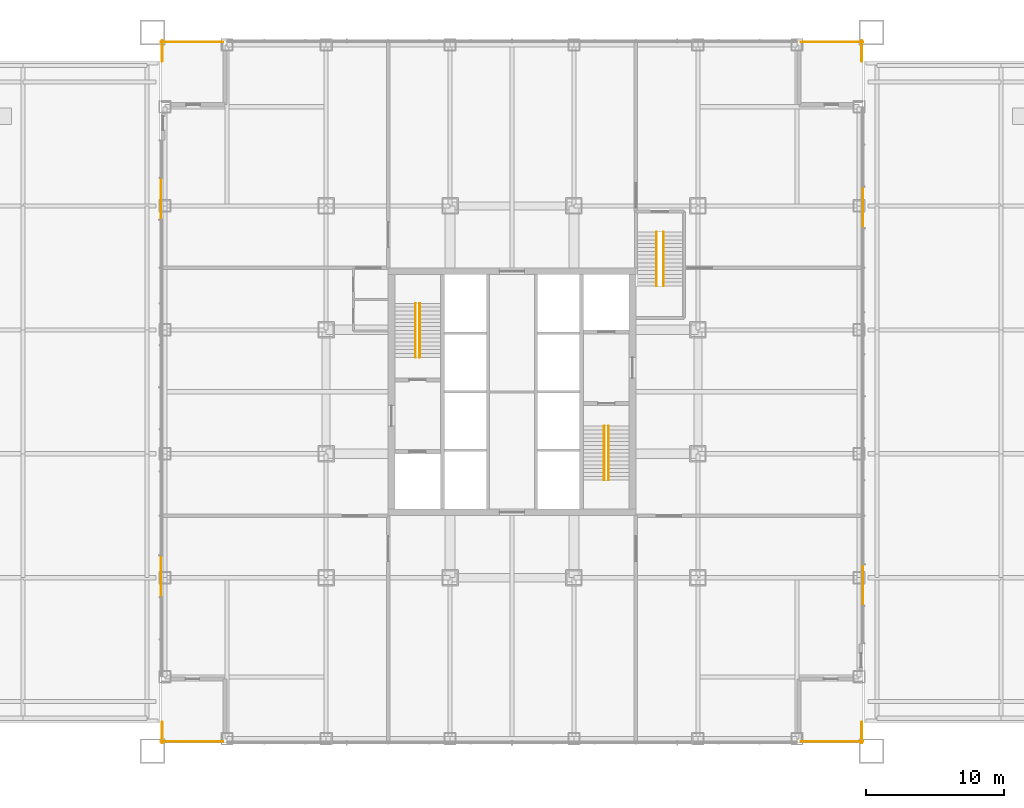
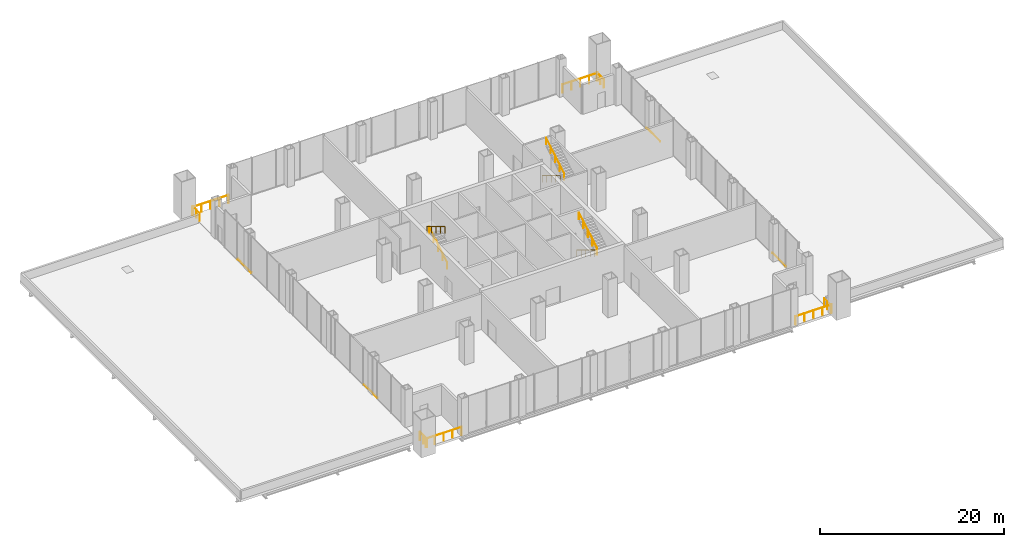
# One storey, part 16 of 16: 14 railings, 4 coverings.
"""IFC4 building model written with IfcOpenShell, lengths in metres."""

from ifc_helpers import new_model, si_unit, direction, frame, origin, origin_2d, place, context, subcontext, project, spatial, polyline, circle, outline, extrude, material, layer, layer_set, type_object, element, save


model = new_model("IFC4")

# Units and contexts
model_context = context("Model", 3, precision=1e-05, world=origin(), true_north=direction((0.0, 1.0)))
body_context = subcontext(model_context, "Body", "Model", "MODEL_VIEW")
ifc_project = project(units=[si_unit("LENGTHUNIT", "METRE"), si_unit("AREAUNIT", "SQUARE_METRE"), si_unit("VOLUMEUNIT", "CUBIC_METRE"), si_unit("PLANEANGLEUNIT", "RADIAN"), si_unit("MASSUNIT", "GRAM", prefix="KILO")], contexts=[model_context])

# Site, building, storey
site_placement = place(None, origin())
site = spatial("IfcSite", under=ifc_project, at=site_placement, CompositionType="ELEMENT")
building_placement = place(site_placement, origin())
building = spatial("IfcBuilding", under=site, at=building_placement, Name="Malebo Sky Hospital", CompositionType="ELEMENT")
storey_placement = place(building_placement, frame((0.0, 0.0, 26.0)))
storey = spatial("IfcBuildingStorey", under=building, at=storey_placement, Name="L05", CompositionType="ELEMENT", Elevation=26.0)

# Coverings
ifc_material_1 = material(Name="Anodised aluminium, natural silver insulated infill panel", Category="aluminium")
ifc_layer = layer(ifc_material_1, 0.0400390625)
ifc_layer_set = layer_set([ifc_layer], Name="BRACE INFILL PANEL 40")
covering_type = type_object("IfcCoveringType", Name="BRACE INFILL PANEL 40", PredefinedType="CLADDING", material=ifc_layer_set)
for number, where, z_axis, x_axis, name in (
    (1, (34.5, 48.615478515625, 0.10009765625), (0.0, 0.0, 1.0), (0.0, 1.0, 0.0), "Brace infill panel 3.1"),
    (2, (34.5, 76.03076171875, 0.10009765625), (0.0, 0.0, 1.0), (0.0, 1.0, 0.0), "Brace infill panel 12.1"),
    (3, (85.5, 75.384521484375, 0.10009765625), (0.0, 0.0, 1.0), (0.0, -1.0, 0.0), "Brace infill panel 3.1"),
    (4, (85.5, 47.96923828125, 0.10009765625), (0.0, 0.0, 1.0), (0.0, -1.0, 0.0), "Brace infill panel 12.1"),
):
    element("IfcCovering", number, at=place(storey_placement, frame(where, z_axis=z_axis, x_axis=x_axis)), inside=storey, type_object=covering_type, Name=name, PredefinedType="CLADDING", context=body_context, shape_type="SweptSolid", body=[
        extrude(outline(polyline([(-1.485595703125, 0.0), (1.485595703125, 0.0), (1.485595703125, 0.067138671875), (-1.485595703125, 0.067138671875), (-1.485595703125, 0.0)])), frame((0.0, 0.02001953125, 0.0), z_axis=(0.0, -1.0, 0.0), x_axis=(1.0, 0.0, 0.0)), (0.0, 0.0, 1.0), 0.0400390625),
    ])

# Railings
ifc_material_2 = material(Name="Anodised aluminium, natural silver posts with stainless steel infill", Category="steel")
railing_type_1 = type_object("IfcRailingType", Name="ROOF EDGE GUARD 1100", PredefinedType="GUARDRAIL", material=ifc_material_2)
railing_1_placement = place(storey_placement, frame((34.60009765625, 38.0, 0.0)))
element("IfcRailing", 5, at=railing_1_placement, inside=storey, type_object=railing_type_1, Name="Maintenance roof edge guard 1 L05", PredefinedType="GUARDRAIL", context=body_context, shape_type="SweptSolid", body=[
    extrude(circle(Radius=0.02392578125, at=origin_2d()), frame((0.0, 0.0, 1.076171875), z_axis=(0.0, -1.0, 0.0), x_axis=(1.0, 0.0, 0.0)), (0.0, 0.0, 1.0), 1.5),
    extrude(circle(Radius=0.02099609375, at=origin_2d()), origin(), (0.0, 0.0, 1.0), 1.052001953125),
    extrude(circle(Radius=0.02099609375, at=origin_2d()), frame((0.0, -0.75, 0.0)), (0.0, 0.0, 1.0), 1.052001953125),
    extrude(circle(Radius=0.02099609375, at=origin_2d()), frame((0.0, -1.5, 0.0)), (0.0, 0.0, 1.0), 1.052001953125),
])
for number, where, name in (
    (6, (34.5, 36.60009765625, 0.0), "Maintenance roof edge guard 2 L05"),
    (7, (81.0, 36.60009765625, 0.0), "Maintenance roof edge guard 3 L05"),
):
    element("IfcRailing", number, at=place(storey_placement, frame(where)), inside=storey, type_object=railing_type_1, Name=name, PredefinedType="GUARDRAIL", context=body_context, shape_type="SweptSolid", body=[
        extrude(circle(Radius=0.02392578125, at=origin_2d()), frame((0.0, 0.0, 1.076171875), z_axis=(1.0, 0.0, 0.0), x_axis=(0.0, 1.0, 0.0)), (0.0, 0.0, 1.0), 4.5),
        extrude(circle(Radius=0.02099609375, at=origin_2d()), origin(), (0.0, 0.0, 1.0), 1.052001953125),
        extrude(circle(Radius=0.02099609375, at=origin_2d()), frame((1.125, 0.0, 0.0)), (0.0, 0.0, 1.0), 1.052001953125),
        extrude(circle(Radius=0.02099609375, at=origin_2d()), frame((2.25, 0.0, 0.0)), (0.0, 0.0, 1.0), 1.052001953125),
        extrude(circle(Radius=0.02099609375, at=origin_2d()), frame((3.375, 0.0, 0.0)), (0.0, 0.0, 1.0), 1.052001953125),
        extrude(circle(Radius=0.02099609375, at=origin_2d()), frame((4.5, 0.0, 0.0)), (0.0, 0.0, 1.0), 1.052001953125),
    ])
railing_2_placement = place(storey_placement, frame((85.39990234375, 36.5, 0.0)))
element("IfcRailing", 8, at=railing_2_placement, inside=storey, type_object=railing_type_1, Name="Maintenance roof edge guard 4 L05", PredefinedType="GUARDRAIL", context=body_context, shape_type="SweptSolid", body=[
    extrude(circle(Radius=0.02392578125, at=origin_2d()), frame((0.0, 0.0, 1.076171875), z_axis=(0.0, 1.0, 0.0), x_axis=(-1.0, 0.0, 0.0)), (0.0, 0.0, 1.0), 1.5),
    extrude(circle(Radius=0.02099609375, at=origin_2d()), origin(), (0.0, 0.0, 1.0), 1.052001953125),
    extrude(circle(Radius=0.02099609375, at=origin_2d()), frame((0.0, 0.75, 0.0)), (0.0, 0.0, 1.0), 1.052001953125),
    extrude(circle(Radius=0.02099609375, at=origin_2d()), frame((0.0, 1.5, 0.0)), (0.0, 0.0, 1.0), 1.052001953125),
])
railing_3_placement = place(storey_placement, frame((39.0, 87.39990234375, 0.0)))
element("IfcRailing", 9, at=railing_3_placement, inside=storey, type_object=railing_type_1, Name="Maintenance roof edge guard 5 L05", PredefinedType="GUARDRAIL", context=body_context, shape_type="SweptSolid", body=[
    extrude(circle(Radius=0.02392578125, at=origin_2d()), frame((0.0, 0.0, 1.076171875), z_axis=(-1.0, 0.0, 0.0), x_axis=(0.0, -1.0, 0.0)), (0.0, 0.0, 1.0), 4.5),
    extrude(circle(Radius=0.02099609375, at=origin_2d()), origin(), (0.0, 0.0, 1.0), 1.052001953125),
    extrude(circle(Radius=0.02099609375, at=origin_2d()), frame((-1.125, 0.0, 0.0)), (0.0, 0.0, 1.0), 1.052001953125),
    extrude(circle(Radius=0.02099609375, at=origin_2d()), frame((-2.25, 0.0, 0.0)), (0.0, 0.0, 1.0), 1.052001953125),
    extrude(circle(Radius=0.02099609375, at=origin_2d()), frame((-3.375, 0.0, 0.0)), (0.0, 0.0, 1.0), 1.052001953125),
    extrude(circle(Radius=0.02099609375, at=origin_2d()), frame((-4.5, 0.0, 0.0)), (0.0, 0.0, 1.0), 1.052001953125),
])
railing_4_placement = place(storey_placement, frame((34.60009765625, 87.5, 0.0)))
element("IfcRailing", 10, at=railing_4_placement, inside=storey, type_object=railing_type_1, Name="Maintenance roof edge guard 6 L05", PredefinedType="GUARDRAIL", context=body_context, shape_type="SweptSolid", body=[
    extrude(circle(Radius=0.02392578125, at=origin_2d()), frame((0.0, 0.0, 1.076171875), z_axis=(0.0, -1.0, 0.0), x_axis=(1.0, 0.0, 0.0)), (0.0, 0.0, 1.0), 1.5),
    extrude(circle(Radius=0.02099609375, at=origin_2d()), origin(), (0.0, 0.0, 1.0), 1.052001953125),
    extrude(circle(Radius=0.02099609375, at=origin_2d()), frame((0.0, -0.75, 0.0)), (0.0, 0.0, 1.0), 1.052001953125),
    extrude(circle(Radius=0.02099609375, at=origin_2d()), frame((0.0, -1.5, 0.0)), (0.0, 0.0, 1.0), 1.052001953125),
])
railing_5_placement = place(storey_placement, frame((85.39990234375, 86.0, 0.0)))
element("IfcRailing", 11, at=railing_5_placement, inside=storey, type_object=railing_type_1, Name="Maintenance roof edge guard 7 L05", PredefinedType="GUARDRAIL", context=body_context, shape_type="SweptSolid", body=[
    extrude(circle(Radius=0.02392578125, at=origin_2d()), frame((0.0, 0.0, 1.076171875), z_axis=(0.0, 1.0, 0.0), x_axis=(-1.0, 0.0, 0.0)), (0.0, 0.0, 1.0), 1.5),
    extrude(circle(Radius=0.02099609375, at=origin_2d()), origin(), (0.0, 0.0, 1.0), 1.052001953125),
    extrude(circle(Radius=0.02099609375, at=origin_2d()), frame((0.0, 0.75, 0.0)), (0.0, 0.0, 1.0), 1.052001953125),
    extrude(circle(Radius=0.02099609375, at=origin_2d()), frame((0.0, 1.5, 0.0)), (0.0, 0.0, 1.0), 1.052001953125),
])
railing_6_placement = place(storey_placement, frame((85.5, 87.39990234375, 0.0)))
element("IfcRailing", 12, at=railing_6_placement, inside=storey, type_object=railing_type_1, Name="Maintenance roof edge guard 8 L05", PredefinedType="GUARDRAIL", context=body_context, shape_type="SweptSolid", body=[
    extrude(circle(Radius=0.02392578125, at=origin_2d()), frame((0.0, 0.0, 1.076171875), z_axis=(-1.0, 0.0, 0.0), x_axis=(0.0, -1.0, 0.0)), (0.0, 0.0, 1.0), 4.5),
    extrude(circle(Radius=0.02099609375, at=origin_2d()), origin(), (0.0, 0.0, 1.0), 1.052001953125),
    extrude(circle(Radius=0.02099609375, at=origin_2d()), frame((-1.125, 0.0, 0.0)), (0.0, 0.0, 1.0), 1.052001953125),
    extrude(circle(Radius=0.02099609375, at=origin_2d()), frame((-2.25, 0.0, 0.0)), (0.0, 0.0, 1.0), 1.052001953125),
    extrude(circle(Radius=0.02099609375, at=origin_2d()), frame((-3.375, 0.0, 0.0)), (0.0, 0.0, 1.0), 1.052001953125),
    extrude(circle(Radius=0.02099609375, at=origin_2d()), frame((-4.5, 0.0, 0.0)), (0.0, 0.0, 1.0), 1.052001953125),
])
ifc_material_3 = material(Name="Stainless steel tube", Category="steel")
railing_type_2 = type_object("IfcRailingType", Name="STAIR HANDRAIL 900", PredefinedType="HANDRAIL", material=ifc_material_3)
railing_7_placement = place(storey_placement, frame((53.300048828125, 64.5, 0.166748046875)))
element("IfcRailing", 13, at=railing_7_placement, inside=storey, type_object=railing_type_2, Name="Stair handrail S1 flight 1", PredefinedType="HANDRAIL", context=body_context, shape_type="SweptSolid", body=[
    extrude(circle(Radius=0.02392578125, at=origin_2d()), frame((0.0, 0.0, 0.8759765625), z_axis=(0.0, 0.859296244711, 0.511478214419), x_axis=(-1.0, 0.0, 0.0)), (0.0, 0.0, 1.0), 4.561767578125),
    extrude(circle(Radius=0.02099609375, at=origin_2d()), origin(), (0.0, 0.0, 1.0), 0.851806640625),
    extrude(circle(Radius=0.02099609375, at=origin_2d()), frame((0.0, 0.97998046875, 0.583251953125)), (0.0, 0.0, 1.0), 0.851806640625),
    extrude(circle(Radius=0.02099609375, at=origin_2d()), frame((0.0, 1.9599609375, 1.16650390625)), (0.0, 0.0, 1.0), 0.851806640625),
    extrude(circle(Radius=0.02099609375, at=origin_2d()), frame((0.0, 2.93994140625, 1.75)), (0.0, 0.0, 1.0), 0.851806640625),
    extrude(circle(Radius=0.02099609375, at=origin_2d()), frame((0.0, 3.919921875, 2.333251953125)), (0.0, 0.0, 1.0), 0.851806640625),
])
for number, where, name in (
    (14, (53.0, 68.419921875, 2.666748046875), "Stair handrail S1 flight 2"),
    (15, (66.699951171875, 59.5, 0.166748046875), "Stair handrail S2 flight 1"),
):
    element("IfcRailing", number, at=place(storey_placement, frame(where)), inside=storey, type_object=railing_type_2, Name=name, PredefinedType="HANDRAIL", context=body_context, shape_type="SweptSolid", body=[
        extrude(circle(Radius=0.02392578125, at=origin_2d()), frame((0.0, 0.0, 0.8759765625), z_axis=(0.0, -0.859296244711, 0.511478214419), x_axis=(1.0, 0.0, 0.0)), (0.0, 0.0, 1.0), 4.561767578125),
        extrude(circle(Radius=0.02099609375, at=origin_2d()), origin(), (0.0, 0.0, 1.0), 0.851806640625),
        extrude(circle(Radius=0.02099609375, at=origin_2d()), frame((0.0, -0.97998046875, 0.583251953125)), (0.0, 0.0, 1.0), 0.851806640625),
        extrude(circle(Radius=0.02099609375, at=origin_2d()), frame((0.0, -1.9599609375, 1.16650390625)), (0.0, 0.0, 1.0), 0.851806640625),
        extrude(circle(Radius=0.02099609375, at=origin_2d()), frame((0.0, -2.93994140625, 1.75)), (0.0, 0.0, 1.0), 0.851806640625),
        extrude(circle(Radius=0.02099609375, at=origin_2d()), frame((0.0, -3.919921875, 2.333251953125)), (0.0, 0.0, 1.0), 0.851806640625),
    ])
railing_8_placement = place(storey_placement, frame((67.0, 55.580078125, 2.666748046875)))
element("IfcRailing", 16, at=railing_8_placement, inside=storey, type_object=railing_type_2, Name="Stair handrail S2 flight 2", PredefinedType="HANDRAIL", context=body_context, shape_type="SweptSolid", body=[
    extrude(circle(Radius=0.02392578125, at=origin_2d()), frame((0.0, 0.0, 0.8759765625), z_axis=(0.0, 0.859296244711, 0.511478214419), x_axis=(-1.0, 0.0, 0.0)), (0.0, 0.0, 1.0), 4.561767578125),
    extrude(circle(Radius=0.02099609375, at=origin_2d()), origin(), (0.0, 0.0, 1.0), 0.851806640625),
    extrude(circle(Radius=0.02099609375, at=origin_2d()), frame((0.0, 0.97998046875, 0.583251953125)), (0.0, 0.0, 1.0), 0.851806640625),
    extrude(circle(Radius=0.02099609375, at=origin_2d()), frame((0.0, 1.9599609375, 1.16650390625)), (0.0, 0.0, 1.0), 0.851806640625),
    extrude(circle(Radius=0.02099609375, at=origin_2d()), frame((0.0, 2.93994140625, 1.75)), (0.0, 0.0, 1.0), 0.851806640625),
    extrude(circle(Radius=0.02099609375, at=origin_2d()), frame((0.0, 3.919921875, 2.333251953125)), (0.0, 0.0, 1.0), 0.851806640625),
])
railing_9_placement = place(storey_placement, frame((70.5, 73.60009765625, 0.166748046875)))
element("IfcRailing", 17, at=railing_9_placement, inside=storey, type_object=railing_type_2, Name="Stair handrail S3 flight 1", PredefinedType="HANDRAIL", context=body_context, shape_type="SweptSolid", body=[
    extrude(circle(Radius=0.02392578125, at=origin_2d()), frame((0.0, 0.0, 0.8759765625), z_axis=(0.0, -0.859310244771, 0.511454693235), x_axis=(1.0, 0.0, 0.0)), (0.0, 0.0, 1.0), 4.56201171875),
    extrude(circle(Radius=0.02099609375, at=origin_2d()), origin(), (0.0, 0.0, 1.0), 0.851806640625),
    extrude(circle(Radius=0.02099609375, at=origin_2d()), frame((0.0, -0.97998046875, 0.583251953125)), (0.0, 0.0, 1.0), 0.851806640625),
    extrude(circle(Radius=0.02099609375, at=origin_2d()), frame((0.0, -1.9599609375, 1.16650390625)), (0.0, 0.0, 1.0), 0.851806640625),
    extrude(circle(Radius=0.02099609375, at=origin_2d()), frame((0.0, -2.940185546875, 1.75)), (0.0, 0.0, 1.0), 0.851806640625),
    extrude(circle(Radius=0.02099609375, at=origin_2d()), frame((0.0, -3.920166015625, 2.333251953125)), (0.0, 0.0, 1.0), 0.851806640625),
])
railing_10_placement = place(storey_placement, frame((71.0, 69.679931640625, 2.666748046875)))
element("IfcRailing", 18, at=railing_10_placement, inside=storey, type_object=railing_type_2, Name="Stair handrail S3 flight 2", PredefinedType="HANDRAIL", context=body_context, shape_type="SweptSolid", body=[
    extrude(circle(Radius=0.02392578125, at=origin_2d()), frame((0.0, 0.0, 0.8759765625), z_axis=(0.0, 0.859310244771, 0.511454693235), x_axis=(-1.0, 0.0, 0.0)), (0.0, 0.0, 1.0), 4.56201171875),
    extrude(circle(Radius=0.02099609375, at=origin_2d()), origin(), (0.0, 0.0, 1.0), 0.851806640625),
    extrude(circle(Radius=0.02099609375, at=origin_2d()), frame((0.0, 0.97998046875, 0.583251953125)), (0.0, 0.0, 1.0), 0.851806640625),
    extrude(circle(Radius=0.02099609375, at=origin_2d()), frame((0.0, 1.9599609375, 1.16650390625)), (0.0, 0.0, 1.0), 0.851806640625),
    extrude(circle(Radius=0.02099609375, at=origin_2d()), frame((0.0, 2.940185546875, 1.75)), (0.0, 0.0, 1.0), 0.851806640625),
    extrude(circle(Radius=0.02099609375, at=origin_2d()), frame((0.0, 3.920166015625, 2.333251953125)), (0.0, 0.0, 1.0), 0.851806640625),
])

save(model, "model.ifc")
